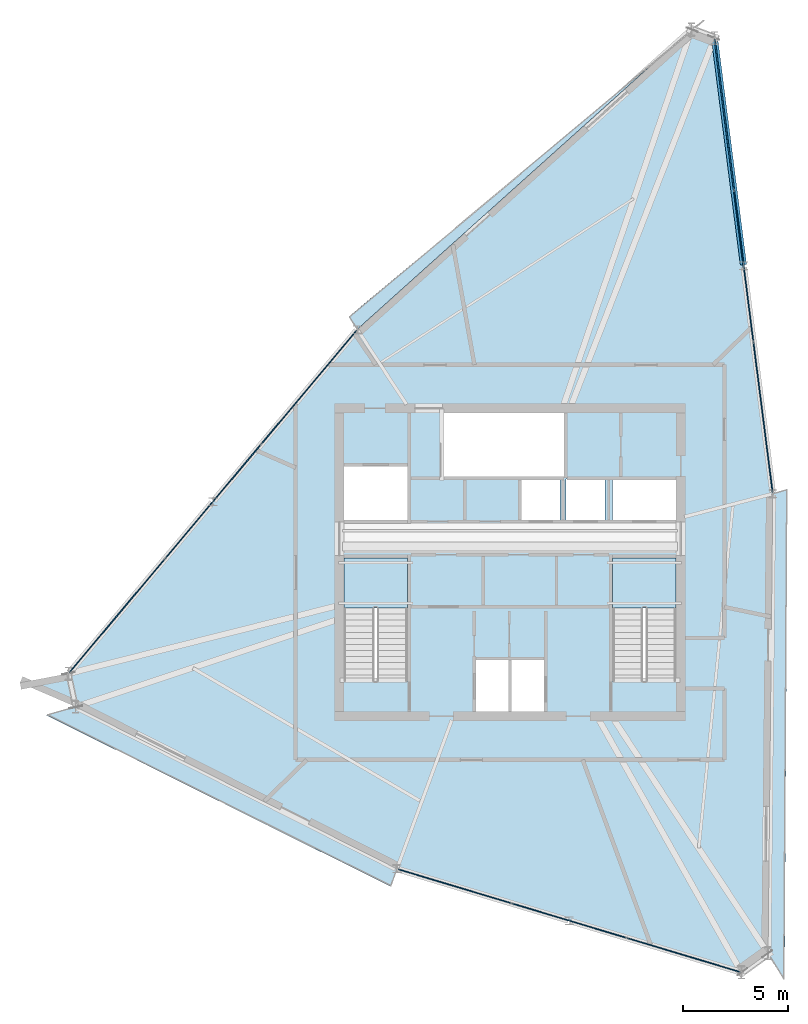
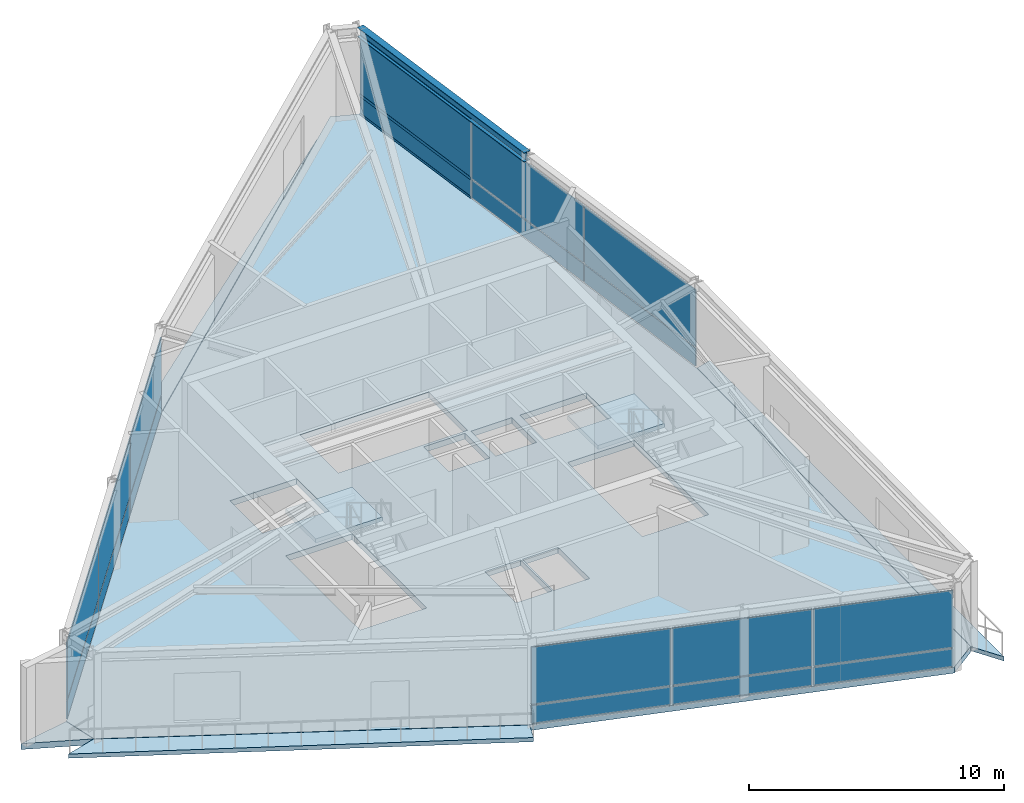
# One storey, part 15 of 23: 18 plates, 7 slabs, 3 members, 1 beam, 5 elements without a shape of their own.
"""IFC4 building model written with IfcOpenShell, lengths in metres."""

from ifc_helpers import new_model, si_unit, direction, frame, origin, origin_2d, place, context, subcontext, project, spatial, polyline, rectangle, hollow_rectangle, i_section, outline, extrude, source, transform, mapped, material, layer, layer_set, material_profile, profile_set, type_object, element, aggregate, save


model = new_model("IFC4")

# Units and contexts
model_context = context("Model", 3, precision=1e-05, world=origin(), true_north=direction((0.0, 1.0)))
body_context = subcontext(model_context, "Body", "Model", "MODEL_VIEW")
ifc_project = project(units=[si_unit("LENGTHUNIT", "METRE"), si_unit("AREAUNIT", "SQUARE_METRE"), si_unit("VOLUMEUNIT", "CUBIC_METRE"), si_unit("PLANEANGLEUNIT", "RADIAN"), si_unit("MASSUNIT", "GRAM", prefix="KILO")], contexts=[model_context])

# Site, building, storey
site_placement = place(None, origin())
site = spatial("IfcSite", under=ifc_project, at=site_placement, CompositionType="ELEMENT")
building_placement = place(site_placement, origin())
building = spatial("IfcBuilding", under=site, at=building_placement, Name="Olszyna Solenne Hotel", CompositionType="ELEMENT")
storey_placement = place(building_placement, frame((0.0, 0.0, 290.5)))
storey = spatial("IfcBuildingStorey", under=building, at=storey_placement, Name="L77", CompositionType="ELEMENT", Elevation=290.5)

# Beam
ifc_material_1 = material(Name="Steel S355J2", Category="steel")
ifc_material_profile_1 = material_profile(ifc_material_1, i_section(OverallWidth=0.300048828125, OverallDepth=0.449951171875, WebThickness=0.013916015625, FlangeThickness=0.02587890625, at=origin_2d()), Name="HEB 450", Category="load-bearing")
ifc_profile_set_1 = profile_set([ifc_material_profile_1], Name="Steel S355J2")
beam_type = type_object("IfcBeamType", Name="BM-S4", PredefinedType="BEAM", material=ifc_profile_set_1)
shared_shape_1 = source(origin(), body_context, "Body", "SweptSolid", [
    extrude(i_section(OverallWidth=0.300048828125, OverallDepth=0.449951171875, WebThickness=0.013916015625, FlangeThickness=0.02587890625, at=origin_2d()), origin(), (0.0, 0.0, 1.0), 10.810302734375),
])
beam_placement = place(storey_placement, frame((49.108642578125, 40.75830078125, 4.014892578125), z_axis=(-0.126786019095, 0.991930090965, 0.0), x_axis=(-0.991930090965, -0.126786019095, 0.0)))
element("IfcBeam", 1, at=beam_placement, inside=storey, type_object=beam_type, Name="Perimeter spandrel beam BM-S4 B-L77-2263", PredefinedType="BEAM", context=body_context, shape_type="MappedRepresentation", body=[
    mapped(shared_shape_1, transform((0.0, 0.0, 0.0), x_axis=(1.0, 0.0, 0.0), y_axis=(0.0, 1.0, 0.0), z_axis=(0.0, 0.0, 1.0), scale=1.0)),
])

# Curtain wall, members
ifc_material_2 = material(Name="Anodised bronze aluminium", Category="aluminium")
curtain_wall_type = type_object("IfcCurtainWallType", Name="CW-SYS-7", PredefinedType="NOTDEFINED", material=ifc_material_2)
curtain_wall_1_placement = place(storey_placement, origin())
curtain_wall_1 = element("IfcCurtainWall", 2, at=curtain_wall_1_placement, inside=storey, type_object=curtain_wall_type, Name="Unitised curtain wall CW-SYS-7 CW-L77-03", PredefinedType="NOTDEFINED")
ifc_material_profile_2 = material_profile(ifc_material_2, hollow_rectangle(XDim=0.06494140625, YDim=0.139892578125, WallThickness=0.00390625, at=origin_2d()), Name="TRAN 140x65x4", Category="load-bearing")
ifc_profile_set_2 = profile_set([ifc_material_profile_2], Name="Anodised bronze aluminium")
member_type = type_object("IfcMemberType", Name="CW-T2", PredefinedType="USERDEFINED", material=ifc_profile_set_2)
shared_shape_2 = source(origin(), body_context, "Body", "SweptSolid", [
    extrude(hollow_rectangle(XDim=0.06494140625, YDim=0.139892578125, WallThickness=0.00390625, at=origin_2d()), origin(), (0.0, 0.0, 1.0), 7.189453125),
])
member_1_placement = place(storey_placement, frame((47.738525390625, 51.476318359375, 0.032470703125), z_axis=(0.126801087556, -0.991928164836, 0.0), x_axis=(0.991928164836, 0.126801087556, 0.0)))
member_1 = element("IfcMember", 3, at=member_1_placement, type_object=member_type, Name="Curtain-wall transom CW-T2 CT-L77-03-01", ObjectType="TRANSOM", PredefinedType="USERDEFINED", context=body_context, shape_type="MappedRepresentation", body=[
    mapped(shared_shape_2, transform((0.0, 0.0, 0.0), x_axis=(1.0, 0.0, 0.0), y_axis=(0.0, 1.0, 0.0), z_axis=(0.0, 0.0, 1.0), scale=1.0)),
])
member_2_placement = place(storey_placement, frame((47.738525390625, 51.476318359375, 0.949951171875), z_axis=(0.126801087556, -0.991928164836, 0.0), x_axis=(0.991928164836, 0.126801087556, 0.0)))
member_2 = element("IfcMember", 4, at=member_2_placement, type_object=member_type, Name="Curtain-wall transom CW-T2 CT-L77-03-02", ObjectType="TRANSOM", PredefinedType="USERDEFINED", context=body_context, shape_type="MappedRepresentation", body=[
    mapped(shared_shape_2, transform((0.0, 0.0, 0.0), x_axis=(1.0, 0.0, 0.0), y_axis=(0.0, 1.0, 0.0), z_axis=(0.0, 0.0, 1.0), scale=1.0)),
])
member_3_placement = place(storey_placement, frame((47.738525390625, 51.476318359375, 3.74951171875), z_axis=(0.126801087556, -0.991928164836, 0.0), x_axis=(0.991928164836, 0.126801087556, 0.0)))
member_3 = element("IfcMember", 5, at=member_3_placement, type_object=member_type, Name="Curtain-wall transom CW-T2 CT-L77-03-03", ObjectType="TRANSOM", PredefinedType="USERDEFINED", context=body_context, shape_type="MappedRepresentation", body=[
    mapped(shared_shape_2, transform((0.0, 0.0, 0.0), x_axis=(1.0, 0.0, 0.0), y_axis=(0.0, 1.0, 0.0), z_axis=(0.0, 0.0, 1.0), scale=1.0)),
])

# Stair, slab
ifc_material_3 = material(Name="Concrete C40/50", Category="concrete")
stair_type = type_object("IfcStairType", Name="STR-C1", PredefinedType="TWO_QUARTER_WINDING_STAIR", material=ifc_material_3)
stair_1_placement = place(storey_placement, origin())
stair_1 = element("IfcStair", 6, at=stair_1_placement, inside=storey, type_object=stair_type, Name="L77 ST1", PredefinedType="TWO_QUARTER_WINDING_STAIR")
ifc_layer_1 = layer(ifc_material_3, 0.18994140625, Name="Concrete C40/50")
ifc_layer_set_1 = layer_set([ifc_layer_1], Name="Concrete C40/50")
slab_type_1 = type_object("IfcSlabType", Name="SL-LN190", PredefinedType="LANDING", material=ifc_layer_set_1)
slab_1_placement = place(storey_placement, frame((0.0, 0.0, 2.050048828125)))
slab_1 = element("IfcSlab", 7, at=slab_1_placement, type_object=slab_type_1, Name="ST1 landing 1", PredefinedType="LANDING", context=body_context, shape_type="SweptSolid", body=[
    extrude(outline(polyline([(33.1201171875, 24.429931640625), (33.1201171875, 26.800048828125), (30.10009765625, 26.800048828125), (30.10009765625, 24.429931640625), (33.1201171875, 24.429931640625)])), origin(), (0.0, 0.0, 1.0), 0.199951171875),
])
aggregate(stair_1, [slab_1])

stair_2_placement = place(storey_placement, origin())
stair_2 = element("IfcStair", 8, at=stair_2_placement, inside=storey, type_object=stair_type, Name="L77 ST2", PredefinedType="TWO_QUARTER_WINDING_STAIR")
slab_2_placement = place(storey_placement, frame((0.0, 0.0, 2.050048828125)))
slab_2 = element("IfcSlab", 9, at=slab_2_placement, type_object=slab_type_1, Name="ST2 landing 1", PredefinedType="LANDING", context=body_context, shape_type="SweptSolid", body=[
    extrude(outline(polyline([(45.89990234375, 24.429931640625), (45.89990234375, 26.800048828125), (42.8798828125, 26.800048828125), (42.8798828125, 24.429931640625), (45.89990234375, 24.429931640625)])), origin(), (0.0, 0.0, 1.0), 0.199951171875),
])
aggregate(stair_2, [slab_2])

# Slabs
ifc_material_4 = material(Name="Precast concrete C45/55", Category="concrete")
ifc_layer_2 = layer(ifc_material_4, 0.199951171875, Name="Precast concrete C45/55")
ifc_layer_set_2 = layer_set([ifc_layer_2], Name="Precast concrete C45/55")
slab_type_2 = type_object("IfcSlabType", Name="SL-LOG200", PredefinedType="FLOOR", material=ifc_layer_set_2)
slab_3_placement = place(storey_placement, frame((0.0, 0.0, -0.199951171875)))
element("IfcSlab", 10, at=slab_3_placement, inside=storey, type_object=slab_type_2, Name="Exterior loggia balcony slab SL-L77-LG1", PredefinedType="FLOOR", context=body_context, shape_type="SweptSolid", body=[
    extrude(outline(polyline([(30.34814453125, 38.3037109375), (30.73193359375, 37.68115234375), (45.4462890625, 50.896484375), (30.34814453125, 38.3037109375)])), origin(), (0.0, 0.0, 1.0), 0.199951171875),
])
slab_4_placement = place(storey_placement, frame((0.0, 0.0, -0.199951171875)))
element("IfcSlab", 11, at=slab_4_placement, inside=storey, type_object=slab_type_2, Name="Exterior loggia balcony slab SL-L77-LG2", PredefinedType="FLOOR", context=body_context, shape_type="SweptSolid", body=[
    extrude(outline(polyline([(32.6162109375, 11.998291015625), (32.61572265625, 11.99853515625), (32.614501953125, 11.9990234375), (17.3310546875, 19.711181640625), (17.314697265625, 19.71826171875), (15.9423828125, 19.322998046875), (32.315673828125, 11.17626953125), (32.6162109375, 11.998291015625)])), origin(), (0.0, 0.0, 1.0), 0.199951171875),
])
slab_5_placement = place(storey_placement, frame((0.0, 0.0, -0.199951171875)))
element("IfcSlab", 12, at=slab_5_placement, inside=storey, type_object=slab_type_2, Name="Exterior loggia balcony slab SL-L77-LG3", PredefinedType="FLOOR", context=body_context, shape_type="SweptSolid", body=[
    extrude(outline(polyline([(50.5166015625, 29.86083984375), (50.51708984375, 29.858642578125), (50.51708984375, 29.8564453125), (50.2939453125, 7.996826171875), (50.293701171875, 7.99560546875), (50.293701171875, 7.994140625), (50.293212890625, 7.992919921875), (50.292724609375, 7.991455078125), (50.292236328125, 7.990234375), (50.29150390625, 7.989013671875), (50.290771484375, 7.98779296875), (50.289794921875, 7.98681640625), (50.288818359375, 7.98583984375), (50.28759765625, 7.98486328125), (50.286865234375, 7.984375), (51.0625, 6.72607421875), (51.19970703125, 30.0576171875), (50.5166015625, 29.86083984375)])), origin(), (0.0, 0.0, 1.0), 0.199951171875),
])
ifc_material_5 = material(Name="Concrete C50/60", Category="concrete")
ifc_layer_3 = layer(ifc_material_5, 0.280029296875, Name="Concrete C50/60")
ifc_layer_set_3 = layer_set([ifc_layer_3], Name="Concrete C50/60")
slab_type_3 = type_object("IfcSlabType", Name="SL-OB280", PredefinedType="FLOOR", material=ifc_layer_set_3)
slab_6_placement = place(storey_placement, frame((0.0, 0.0, -0.280029296875)))
element("IfcSlab", 13, at=slab_6_placement, inside=storey, type_object=slab_type_3, Name="Floor slab SL-OB280 SL-L77-01", PredefinedType="FLOOR", context=body_context, shape_type="SweptSolid", body=[
    extrude(outline(polyline([(47.73046875, 51.541015625), (46.6376953125, 51.9462890625), (30.739990234375, 37.668212890625), (16.998779296875, 21.30419921875), (17.33740234375, 19.724609375), (32.621337890625, 12.012451171875), (49.016845703125, 7.0869140625), (50.27880859375, 7.9970703125), (50.502197265625, 29.856689453125), (47.73046875, 51.541015625)]), holes=[polyline([(30.10009765625, 20.949951171875), (33.1201171875, 20.949951171875), (33.1201171875, 26.800048828125), (30.10009765625, 26.800048828125), (30.10009765625, 20.949951171875)]), polyline([(42.8798828125, 20.949951171875), (45.89990234375, 20.949951171875), (45.89990234375, 26.800048828125), (42.8798828125, 26.800048828125), (42.8798828125, 20.949951171875)]), polyline([(34.72998046875, 30.679931640625), (40.580078125, 30.679931640625), (40.580078125, 33.699951171875), (34.72998046875, 33.699951171875), (34.72998046875, 30.679931640625)]), polyline([(36.340087890625, 19.5), (37.9599609375, 19.5), (37.9599609375, 21.9599609375), (36.340087890625, 21.9599609375), (36.340087890625, 19.5)]), polyline([(38.0400390625, 19.5), (39.659912109375, 19.5), (39.659912109375, 21.9599609375), (38.0400390625, 21.9599609375), (38.0400390625, 19.5)]), polyline([(30.10009765625, 28.60009765625), (33.1201171875, 28.60009765625), (33.1201171875, 31.159912109375), (30.10009765625, 31.159912109375), (30.10009765625, 28.60009765625)]), polyline([(38.530029296875, 28.60009765625), (40.389892578125, 28.60009765625), (40.389892578125, 30.550048828125), (38.530029296875, 30.550048828125), (38.530029296875, 28.60009765625)]), polyline([(40.659912109375, 28.60009765625), (42.52001953125, 28.60009765625), (42.52001953125, 30.550048828125), (40.659912109375, 30.550048828125), (40.659912109375, 28.60009765625)]), polyline([(42.8798828125, 28.60009765625), (45.89990234375, 28.60009765625), (45.89990234375, 30.550048828125), (42.8798828125, 30.550048828125), (42.8798828125, 28.60009765625)])]), origin(), (0.0, 0.0, 1.0), 0.280029296875),
])
slab_7_placement = place(storey_placement, frame((0.0, 0.0, -0.280029296875)))
element("IfcSlab", 14, at=slab_7_placement, inside=storey, type_object=slab_type_3, Name="Faceted glass-prism floor slab SL-L77-PR", PredefinedType="FLOOR", context=body_context, shape_type="SweptSolid", body=[
    extrude(outline(polyline([(17.326171875, 19.7294921875), (16.989013671875, 21.302001953125), (16.989013671875, 21.30224609375), (14.688720703125, 20.868408203125), (17.326171875, 19.7294921875)])), origin(), (0.0, 0.0, 1.0), 0.280029296875),
])

# Curtain wall, plates
curtain_wall_2_placement = place(storey_placement, origin())
curtain_wall_2 = element("IfcCurtainWall", 15, at=curtain_wall_2_placement, inside=storey, type_object=curtain_wall_type, Name="Unitised curtain wall CW-SYS-7 CW-L77-01", PredefinedType="NOTDEFINED")
ifc_material_6 = material(Name="Terracotta cladding", Category="masonry")
plate_type_1 = type_object("IfcPlateType", Name="PN-SP1", PredefinedType="CURTAIN_PANEL", material=ifc_material_6)
shared_shape_3 = source(origin(), body_context, "Body", "SweptSolid", [
    extrude(rectangle(XDim=5.60888671875, YDim=0.048095703125, at=origin_2d()), origin(), (0.0, 0.0, 1.0), 0.8525390625),
])
plate_1_placement = place(storey_placement, frame((35.36962890625, 11.186767578125, 0.06494140625), z_axis=(0.0, 0.0, 1.0), x_axis=(0.957712384172, -0.28772728269, 0.0)))
plate_1 = element("IfcPlate", 16, at=plate_1_placement, type_object=plate_type_1, Name="Curtain-wall panel PN-SP1 CP-L77-01-01", PredefinedType="CURTAIN_PANEL", context=body_context, shape_type="MappedRepresentation", body=[
    mapped(shared_shape_3, transform((0.0, 0.0, 0.0), x_axis=(1.0, 0.0, 0.0), y_axis=(0.0, 1.0, 0.0), z_axis=(0.0, 0.0, 1.0), scale=1.0)),
])
plate_2_placement = place(storey_placement, frame((46.2685546875, 7.912353515625, 0.06494140625), z_axis=(0.0, 0.0, 1.0), x_axis=(0.957712384172, -0.28772728269, 0.0)))
plate_2 = element("IfcPlate", 17, at=plate_2_placement, type_object=plate_type_1, Name="Curtain-wall panel PN-SP1 CP-L77-01-05", PredefinedType="CURTAIN_PANEL", context=body_context, shape_type="MappedRepresentation", body=[
    mapped(shared_shape_3, transform((0.0, 0.0, 0.0), x_axis=(1.0, 0.0, 0.0), y_axis=(0.0, 1.0, 0.0), z_axis=(0.0, 0.0, 1.0), scale=1.0)),
])
ifc_material_7 = material(Name="Low-E triple glazing", Category="glass")
plate_type_2 = type_object("IfcPlateType", Name="PN-GL2", PredefinedType="CURTAIN_PANEL", material=ifc_material_7)
shared_shape_4 = source(origin(), body_context, "Body", "SweptSolid", [
    extrude(rectangle(XDim=5.60888671875, YDim=0.048095703125, at=origin_2d()), origin(), (0.0, 0.0, 1.0), 2.734619140625),
])
plate_3_placement = place(storey_placement, frame((35.36962890625, 11.186767578125, 0.982421875), z_axis=(0.0, 0.0, 1.0), x_axis=(0.957712384172, -0.28772728269, 0.0)))
plate_3 = element("IfcPlate", 18, at=plate_3_placement, type_object=plate_type_2, Name="Curtain-wall panel PN-GL2 CP-L77-01-02", PredefinedType="CURTAIN_PANEL", context=body_context, shape_type="MappedRepresentation", body=[
    mapped(shared_shape_4, transform((0.0, 0.0, 0.0), x_axis=(1.0, 0.0, 0.0), y_axis=(0.0, 1.0, 0.0), z_axis=(0.0, 0.0, 1.0), scale=1.0)),
])
plate_4_placement = place(storey_placement, frame((46.2685546875, 7.912353515625, 0.982421875), z_axis=(0.0, 0.0, 1.0), x_axis=(0.957712384172, -0.28772728269, 0.0)))
plate_4 = element("IfcPlate", 19, at=plate_4_placement, type_object=plate_type_2, Name="Curtain-wall panel PN-GL2 CP-L77-01-06", PredefinedType="CURTAIN_PANEL", context=body_context, shape_type="MappedRepresentation", body=[
    mapped(shared_shape_4, transform((0.0, 0.0, 0.0), x_axis=(1.0, 0.0, 0.0), y_axis=(0.0, 1.0, 0.0), z_axis=(0.0, 0.0, 1.0), scale=1.0)),
])
shared_shape_5 = source(origin(), body_context, "Body", "SweptSolid", [
    extrude(rectangle(XDim=5.641357421875, YDim=0.048095703125, at=origin_2d()), origin(), (0.0, 0.0, 1.0), 0.8525390625),
])
plate_5_placement = place(storey_placement, frame((40.819091796875, 9.549560546875, 0.06494140625), z_axis=(0.0, 0.0, 1.0), x_axis=(0.957712384172, -0.28772728269, 0.0)))
plate_5 = element("IfcPlate", 20, at=plate_5_placement, type_object=plate_type_1, Name="Curtain-wall panel PN-SP1 CP-L77-01-03", PredefinedType="CURTAIN_PANEL", context=body_context, shape_type="MappedRepresentation", body=[
    mapped(shared_shape_5, transform((0.0, 0.0, 0.0), x_axis=(1.0, 0.0, 0.0), y_axis=(0.0, 1.0, 0.0), z_axis=(0.0, 0.0, 1.0), scale=1.0)),
])
shared_shape_6 = source(origin(), body_context, "Body", "SweptSolid", [
    extrude(rectangle(XDim=5.641357421875, YDim=0.048095703125, at=origin_2d()), origin(), (0.0, 0.0, 1.0), 2.734619140625),
])
plate_6_placement = place(storey_placement, frame((40.819091796875, 9.549560546875, 0.982421875), z_axis=(0.0, 0.0, 1.0), x_axis=(0.957712384172, -0.28772728269, 0.0)))
plate_6 = element("IfcPlate", 21, at=plate_6_placement, type_object=plate_type_2, Name="Curtain-wall panel PN-GL2 CP-L77-01-04", PredefinedType="CURTAIN_PANEL", context=body_context, shape_type="MappedRepresentation", body=[
    mapped(shared_shape_6, transform((0.0, 0.0, 0.0), x_axis=(1.0, 0.0, 0.0), y_axis=(0.0, 1.0, 0.0), z_axis=(0.0, 0.0, 1.0), scale=1.0)),
])
aggregate(curtain_wall_2, [plate_1, plate_3, plate_5, plate_6, plate_2, plate_4])

curtain_wall_3_placement = place(storey_placement, origin())
curtain_wall_3 = element("IfcCurtainWall", 22, at=curtain_wall_3_placement, inside=storey, type_object=curtain_wall_type, Name="Unitised curtain wall CW-SYS-7 CW-L77-02", PredefinedType="NOTDEFINED")
shared_shape_7 = source(origin(), body_context, "Body", "SweptSolid", [
    extrude(rectangle(XDim=7.025146484375, YDim=0.048095703125, at=origin_2d()), origin(), (0.0, 0.0, 1.0), 0.8525390625),
])
plate_7_placement = place(storey_placement, frame((19.299560546875, 24.0439453125, 0.06494140625), z_axis=(0.0, 0.0, 1.0), x_axis=(0.643069264692, 0.765808018245, 0.0)))
plate_7 = element("IfcPlate", 23, at=plate_7_placement, type_object=plate_type_1, Name="Curtain-wall panel PN-SP1 CP-L77-02-01", PredefinedType="CURTAIN_PANEL", context=body_context, shape_type="MappedRepresentation", body=[
    mapped(shared_shape_7, transform((0.0, 0.0, 0.0), x_axis=(1.0, 0.0, 0.0), y_axis=(0.0, 1.0, 0.0), z_axis=(0.0, 0.0, 1.0), scale=1.0)),
])
plate_8_placement = place(storey_placement, frame((28.439453125, 34.92822265625, 0.06494140625), z_axis=(0.0, 0.0, 1.0), x_axis=(0.643069264692, 0.765808018245, 0.0)))
plate_8 = element("IfcPlate", 24, at=plate_8_placement, type_object=plate_type_1, Name="Curtain-wall panel PN-SP1 CP-L77-02-05", PredefinedType="CURTAIN_PANEL", context=body_context, shape_type="MappedRepresentation", body=[
    mapped(shared_shape_7, transform((0.0, 0.0, 0.0), x_axis=(1.0, 0.0, 0.0), y_axis=(0.0, 1.0, 0.0), z_axis=(0.0, 0.0, 1.0), scale=1.0)),
])
shared_shape_8 = source(origin(), body_context, "Body", "SweptSolid", [
    extrude(rectangle(XDim=7.025146484375, YDim=0.048095703125, at=origin_2d()), origin(), (0.0, 0.0, 1.0), 2.734619140625),
])
plate_9_placement = place(storey_placement, frame((19.299560546875, 24.0439453125, 0.982421875), z_axis=(0.0, 0.0, 1.0), x_axis=(0.643069264692, 0.765808018245, 0.0)))
plate_9 = element("IfcPlate", 25, at=plate_9_placement, type_object=plate_type_2, Name="Curtain-wall panel PN-GL2 CP-L77-02-02", PredefinedType="CURTAIN_PANEL", context=body_context, shape_type="MappedRepresentation", body=[
    mapped(shared_shape_8, transform((0.0, 0.0, 0.0), x_axis=(1.0, 0.0, 0.0), y_axis=(0.0, 1.0, 0.0), z_axis=(0.0, 0.0, 1.0), scale=1.0)),
])
plate_10_placement = place(storey_placement, frame((28.439453125, 34.92822265625, 0.982421875), z_axis=(0.0, 0.0, 1.0), x_axis=(0.643069264692, 0.765808018245, 0.0)))
plate_10 = element("IfcPlate", 26, at=plate_10_placement, type_object=plate_type_2, Name="Curtain-wall panel PN-GL2 CP-L77-02-06", PredefinedType="CURTAIN_PANEL", context=body_context, shape_type="MappedRepresentation", body=[
    mapped(shared_shape_8, transform((0.0, 0.0, 0.0), x_axis=(1.0, 0.0, 0.0), y_axis=(0.0, 1.0, 0.0), z_axis=(0.0, 0.0, 1.0), scale=1.0)),
])
shared_shape_9 = source(origin(), body_context, "Body", "SweptSolid", [
    extrude(rectangle(XDim=7.0576171875, YDim=0.048095703125, at=origin_2d()), origin(), (0.0, 0.0, 1.0), 0.8525390625),
])
plate_11_placement = place(storey_placement, frame((23.869384765625, 29.486083984375, 0.06494140625), z_axis=(0.0, 0.0, 1.0), x_axis=(0.643069264692, 0.765808018245, 0.0)))
plate_11 = element("IfcPlate", 27, at=plate_11_placement, type_object=plate_type_1, Name="Curtain-wall panel PN-SP1 CP-L77-02-03", PredefinedType="CURTAIN_PANEL", context=body_context, shape_type="MappedRepresentation", body=[
    mapped(shared_shape_9, transform((0.0, 0.0, 0.0), x_axis=(1.0, 0.0, 0.0), y_axis=(0.0, 1.0, 0.0), z_axis=(0.0, 0.0, 1.0), scale=1.0)),
])
shared_shape_10 = source(origin(), body_context, "Body", "SweptSolid", [
    extrude(rectangle(XDim=7.0576171875, YDim=0.048095703125, at=origin_2d()), origin(), (0.0, 0.0, 1.0), 2.734619140625),
])
plate_12_placement = place(storey_placement, frame((23.869384765625, 29.486083984375, 0.982421875), z_axis=(0.0, 0.0, 1.0), x_axis=(0.643069264692, 0.765808018245, 0.0)))
plate_12 = element("IfcPlate", 28, at=plate_12_placement, type_object=plate_type_2, Name="Curtain-wall panel PN-GL2 CP-L77-02-04", PredefinedType="CURTAIN_PANEL", context=body_context, shape_type="MappedRepresentation", body=[
    mapped(shared_shape_10, transform((0.0, 0.0, 0.0), x_axis=(1.0, 0.0, 0.0), y_axis=(0.0, 1.0, 0.0), z_axis=(0.0, 0.0, 1.0), scale=1.0)),
])
aggregate(curtain_wall_3, [plate_7, plate_9, plate_11, plate_12, plate_8, plate_10])

# Plate
shared_shape_11 = source(origin(), body_context, "Body", "SweptSolid", [
    extrude(rectangle(XDim=7.189453125, YDim=0.048095703125, at=origin_2d()), origin(), (0.0, 0.0, 1.0), 0.8525390625),
])
plate_13_placement = place(storey_placement, frame((48.1943359375, 47.91064453125, 0.06494140625), z_axis=(0.0, 0.0, 1.0), x_axis=(0.126789614523, -0.9919296314, 0.0)))
plate_13 = element("IfcPlate", 29, at=plate_13_placement, type_object=plate_type_1, Name="Curtain-wall panel PN-SP1 CP-L77-03-01", PredefinedType="CURTAIN_PANEL", context=body_context, shape_type="MappedRepresentation", body=[
    mapped(shared_shape_11, transform((0.0, 0.0, 0.0), x_axis=(1.0, 0.0, 0.0), y_axis=(0.0, 1.0, 0.0), z_axis=(0.0, 0.0, 1.0), scale=1.0)),
])

plate_14_placement = place(storey_placement, frame((50.0380859375, 33.48681640625, 0.06494140625), z_axis=(0.0, 0.0, 1.0), x_axis=(0.126789614523, -0.9919296314, 0.0)))
plate_14 = element("IfcPlate", 30, at=plate_14_placement, type_object=plate_type_1, Name="Curtain-wall panel PN-SP1 CP-L77-03-05", PredefinedType="CURTAIN_PANEL", context=body_context, shape_type="MappedRepresentation", body=[
    mapped(shared_shape_11, transform((0.0, 0.0, 0.0), x_axis=(1.0, 0.0, 0.0), y_axis=(0.0, 1.0, 0.0), z_axis=(0.0, 0.0, 1.0), scale=1.0)),
])

shared_shape_12 = source(origin(), body_context, "Body", "SweptSolid", [
    extrude(rectangle(XDim=7.189453125, YDim=0.048095703125, at=origin_2d()), origin(), (0.0, 0.0, 1.0), 2.734619140625),
])
plate_15_placement = place(storey_placement, frame((48.1943359375, 47.91064453125, 0.982421875), z_axis=(0.0, 0.0, 1.0), x_axis=(0.126789614523, -0.9919296314, 0.0)))
plate_15 = element("IfcPlate", 31, at=plate_15_placement, type_object=plate_type_2, Name="Curtain-wall panel PN-GL2 CP-L77-03-02", PredefinedType="CURTAIN_PANEL", context=body_context, shape_type="MappedRepresentation", body=[
    mapped(shared_shape_12, transform((0.0, 0.0, 0.0), x_axis=(1.0, 0.0, 0.0), y_axis=(0.0, 1.0, 0.0), z_axis=(0.0, 0.0, 1.0), scale=1.0)),
])

plate_16_placement = place(storey_placement, frame((50.0380859375, 33.48681640625, 0.982421875), z_axis=(0.0, 0.0, 1.0), x_axis=(0.126789614523, -0.9919296314, 0.0)))
plate_16 = element("IfcPlate", 32, at=plate_16_placement, type_object=plate_type_2, Name="Curtain-wall panel PN-GL2 CP-L77-03-06", PredefinedType="CURTAIN_PANEL", context=body_context, shape_type="MappedRepresentation", body=[
    mapped(shared_shape_12, transform((0.0, 0.0, 0.0), x_axis=(1.0, 0.0, 0.0), y_axis=(0.0, 1.0, 0.0), z_axis=(0.0, 0.0, 1.0), scale=1.0)),
])

shared_shape_13 = source(origin(), body_context, "Body", "SweptSolid", [
    extrude(rectangle(XDim=7.221923828125, YDim=0.048095703125, at=origin_2d()), origin(), (0.0, 0.0, 1.0), 0.8525390625),
])
plate_17_placement = place(storey_placement, frame((49.1162109375, 40.69873046875, 0.06494140625), z_axis=(0.0, 0.0, 1.0), x_axis=(0.126789614523, -0.9919296314, 0.0)))
plate_17 = element("IfcPlate", 33, at=plate_17_placement, type_object=plate_type_1, Name="Curtain-wall panel PN-SP1 CP-L77-03-03", PredefinedType="CURTAIN_PANEL", context=body_context, shape_type="MappedRepresentation", body=[
    mapped(shared_shape_13, transform((0.0, 0.0, 0.0), x_axis=(1.0, 0.0, 0.0), y_axis=(0.0, 1.0, 0.0), z_axis=(0.0, 0.0, 1.0), scale=1.0)),
])

shared_shape_14 = source(origin(), body_context, "Body", "SweptSolid", [
    extrude(rectangle(XDim=7.221923828125, YDim=0.048095703125, at=origin_2d()), origin(), (0.0, 0.0, 1.0), 2.734619140625),
])
plate_18_placement = place(storey_placement, frame((49.1162109375, 40.69873046875, 0.982421875), z_axis=(0.0, 0.0, 1.0), x_axis=(0.126789614523, -0.9919296314, 0.0)))
plate_18 = element("IfcPlate", 34, at=plate_18_placement, type_object=plate_type_2, Name="Curtain-wall panel PN-GL2 CP-L77-03-04", PredefinedType="CURTAIN_PANEL", context=body_context, shape_type="MappedRepresentation", body=[
    mapped(shared_shape_14, transform((0.0, 0.0, 0.0), x_axis=(1.0, 0.0, 0.0), y_axis=(0.0, 1.0, 0.0), z_axis=(0.0, 0.0, 1.0), scale=1.0)),
])

aggregate(curtain_wall_1, [member_1, member_2, member_3, plate_13, plate_15, plate_17, plate_18, plate_14, plate_16])

save(model, "model.ifc")
